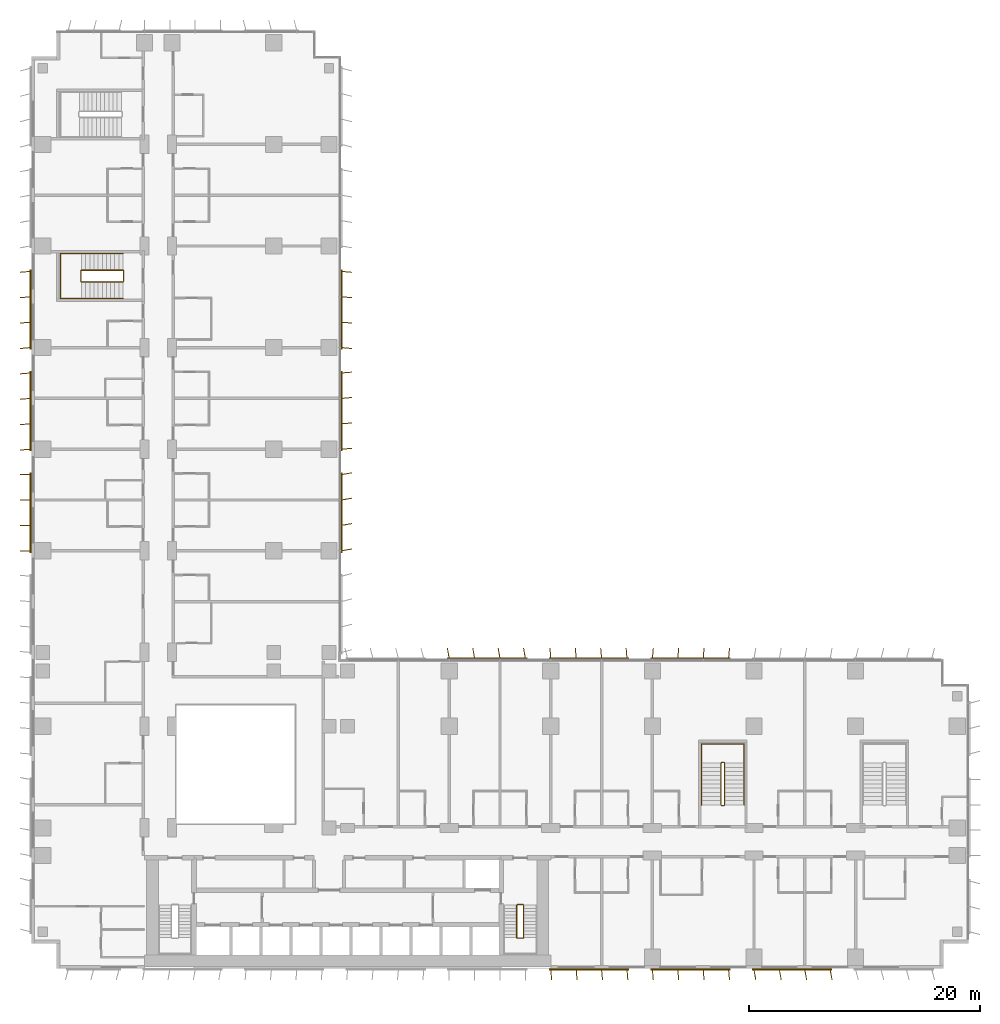
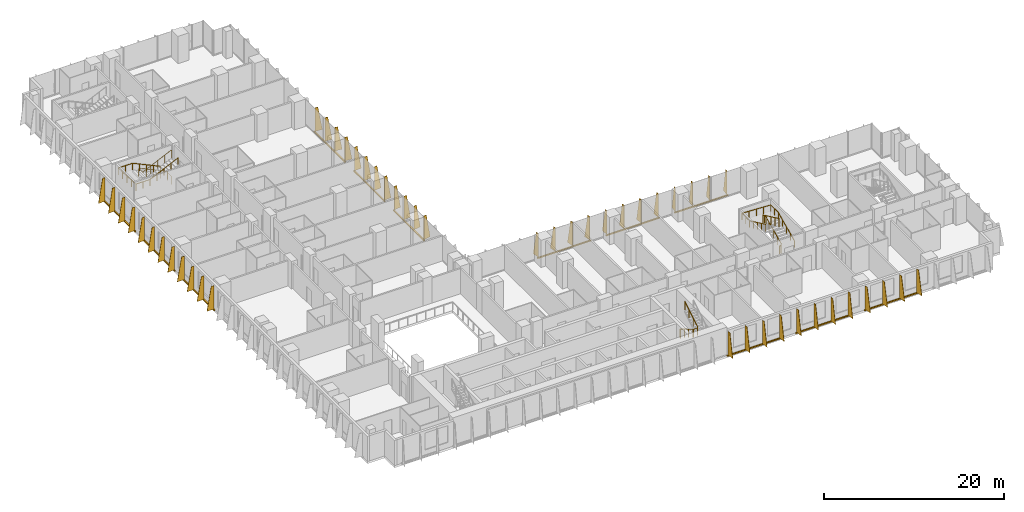
# One storey, part 22 of 24: 12 shading devices, 5 railings.
"""IFC4 building model written with IfcOpenShell, lengths in metres."""

import ifcopenshell
import ifcopenshell.guid

model = None  # the IFC model being written
_history = None  # IfcOwnerHistory: only IFC2X3 demands one
_inside = {}  # id of a spatial element -> (the spatial element, [elements in it])
_under = {}  # id of a project, library or spatial element -> (it, [spatial elements below it])
_declared = {}  # id of a project -> (the project, [libraries it declares])
_typed = {}  # id of a type object -> (the type object, [elements of that type])
_made_of = {}  # id of a material, layer set ... -> (it, [elements and type objects made of it])


def new_model(schema):
    """Start an empty IFC model of exactly this schema.

    Asked for "IFC4X3", IfcOpenShell would pick the latest addendum, in which some entities
    have other attributes; the version numbers below select the first issue.
    IFC2X3 requires an IfcOwnerHistory on every rooted entity: one is made here for all.
    """
    global model, _history
    if schema == "IFC4X3":
        model = ifcopenshell.file(schema_version=(4, 3, 0, 0))
    else:
        model = ifcopenshell.file(schema=schema)
    _inside.clear()
    _under.clear()
    _declared.clear()
    _typed.clear()
    _made_of.clear()
    _history = None
    if model.schema == "IFC2X3":
        org = make("IfcOrganization", Name="unknown")
        user = make(
            "IfcPersonAndOrganization",
            ThePerson=make("IfcPerson", FamilyName="unknown"),
            TheOrganization=org,
        )
        app = make(
            "IfcApplication",
            ApplicationDeveloper=org,
            Version="unknown",
            ApplicationFullName="unknown",
            ApplicationIdentifier="unknown",
        )
        _history = make(
            "IfcOwnerHistory",
            OwningUser=user,
            OwningApplication=app,
            ChangeAction="ADDED",
            CreationDate=0,
        )
    return model


def make(cls, **values):
    """One entity of the class cls with the attributes given. An attribute that is None is left unset."""
    return model.create_entity(
        cls, **{name: value for name, value in values.items() if value is not None}
    )


def rooted(cls, **values):
    """An entity with a GlobalId (a new one), such as an element, a storey or a relation."""
    return make(cls, GlobalId=ifcopenshell.guid.new(), OwnerHistory=_history, **values)


def si_unit(unit_type, name, prefix=None):
    """IfcSIUnit, for example si_unit("LENGTHUNIT", "METRE", prefix="MILLI")."""
    return make("IfcSIUnit", UnitType=unit_type, Prefix=prefix, Name=name)


def assignment(units):
    """IfcUnitAssignment: the units of a project."""
    return None if units is None else make("IfcUnitAssignment", Units=units)


def point(xyz):
    """IfcCartesianPoint."""
    return None if xyz is None else make("IfcCartesianPoint", Coordinates=xyz)


def direction(xyz):
    """IfcDirection."""
    return None if xyz is None else make("IfcDirection", DirectionRatios=xyz)


def frame(location, z_axis=None, x_axis=None):
    """IfcAxis2Placement3D, a coordinate frame: its origin and axes. An axis left out is left unset."""
    return make(
        "IfcAxis2Placement3D",
        Location=point(location),
        Axis=direction(z_axis),
        RefDirection=direction(x_axis),
    )


def frame_2d(location, x_axis=None):
    """IfcAxis2Placement2D, a coordinate frame in the plane: its origin and x axis."""
    return make(
        "IfcAxis2Placement2D", Location=point(location), RefDirection=direction(x_axis)
    )


def origin():
    """The frame at (0, 0, 0) with its axes left unset."""
    return frame((0.0, 0.0, 0.0))


def origin_2d():
    """The frame at (0, 0) in the plane with its x axis left unset."""
    return frame_2d((0.0, 0.0))


def place(relative_to, where):
    """IfcLocalPlacement: puts the frame where relative to a parent placement (None: the world)."""
    return make(
        "IfcLocalPlacement", PlacementRelTo=relative_to, RelativePlacement=where
    )


def context(
    kind, dimensions, precision=None, world=None, true_north=None, identifier=None
):
    """IfcGeometricRepresentationContext, for example the 3D "Model" context."""
    return make(
        "IfcGeometricRepresentationContext",
        ContextIdentifier=identifier,
        ContextType=kind,
        CoordinateSpaceDimension=dimensions,
        Precision=precision,
        WorldCoordinateSystem=world,
        TrueNorth=true_north,
    )


def subcontext(parent, identifier, kind, view, scale=None):
    """IfcGeometricRepresentationSubContext, for example "Body" below "Model"."""
    return make(
        "IfcGeometricRepresentationSubContext",
        ContextIdentifier=identifier,
        ContextType=kind,
        ParentContext=parent,
        TargetScale=scale,
        TargetView=view,
    )


def project(units=None, contexts=None):
    """IfcProject with its units and contexts."""
    return rooted(
        "IfcProject",
        Name="project",
        RepresentationContexts=contexts,
        UnitsInContext=assignment(units),
    )


def spatial(cls, under=None, at=None, **own):
    """A site, building, storey or space (cls), placed at a placement, below another one or the project."""
    s = rooted(cls, ObjectPlacement=at, **own)
    if under is not None:
        _under.setdefault(under.id(), (under, []))[1].append(s)
    return s


def polyline(points):
    """IfcPolyline through the points."""
    return make("IfcPolyline", Points=[point(p) for p in points])


def profile(cls, at=None, kind="AREA", **sizes):
    """A parametric profile (cls). Its sizes go by their IFC names, for example OverallWidth=200.0."""
    return make(cls, ProfileType=kind, Position=at, **sizes)


def rectangle(**sizes):
    """IfcRectangleProfileDef."""
    return profile("IfcRectangleProfileDef", **sizes)


def circle(**sizes):
    """IfcCircleProfileDef."""
    return profile("IfcCircleProfileDef", **sizes)


def outline(outer, holes=None, kind="AREA"):
    """IfcArbitraryClosedProfileDef: a profile drawn as a closed curve; with holes, ...WithVoids."""
    if holes is None:
        return make("IfcArbitraryClosedProfileDef", ProfileType=kind, OuterCurve=outer)
    return make(
        "IfcArbitraryProfileDefWithVoids",
        ProfileType=kind,
        OuterCurve=outer,
        InnerCurves=holes,
    )


def extrude(swept, where, along, depth):
    """IfcExtrudedAreaSolid: the profile swept, set in the frame where, extruded along a direction by depth."""
    return make(
        "IfcExtrudedAreaSolid",
        SweptArea=swept,
        Position=where,
        ExtrudedDirection=direction(along),
        Depth=depth,
    )


def shape(context_of_items, identifier, shape_type, items):
    """IfcShapeRepresentation: the items that make up one representation, for example the "Body"."""
    return make(
        "IfcShapeRepresentation",
        ContextOfItems=context_of_items,
        RepresentationIdentifier=identifier,
        RepresentationType=shape_type,
        Items=items,
    )


def source(mapping_origin, context_of_items, identifier, shape_type, items):
    """IfcRepresentationMap: a shape defined once, which mapped items show again and again."""
    return make(
        "IfcRepresentationMap",
        MappingOrigin=mapping_origin,
        MappedRepresentation=shape(context_of_items, identifier, shape_type, items),
    )


def transform(
    local_origin,
    x_axis=None,
    y_axis=None,
    z_axis=None,
    scale=None,
    scale2=None,
    scale3=None,
    uniform=True,
):
    """IfcCartesianTransformationOperator3D, or its non-uniform kind. x_axis, y_axis, z_axis: its Axis1, 2, 3."""
    if uniform:
        return make(
            "IfcCartesianTransformationOperator3D",
            Axis1=direction(x_axis),
            Axis2=direction(y_axis),
            LocalOrigin=point(local_origin),
            Scale=scale,
            Axis3=direction(z_axis),
        )
    return make(
        "IfcCartesianTransformationOperator3DnonUniform",
        Axis1=direction(x_axis),
        Axis2=direction(y_axis),
        LocalOrigin=point(local_origin),
        Scale=scale,
        Axis3=direction(z_axis),
        Scale2=scale2,
        Scale3=scale3,
    )


def mapped(mapping_source, mapping_target):
    """IfcMappedItem: shows the shape of a source again, moved by a transform."""
    return make(
        "IfcMappedItem", MappingSource=mapping_source, MappingTarget=mapping_target
    )


def material(Name=None, Category=None):
    """IfcMaterial."""
    return make("IfcMaterial", Name=Name, Category=Category)


def layer(
    of_material, thickness, ventilated=None, Name=None, Category=None, Priority=None
):
    """IfcMaterialLayer: one layer of a wall or slab, of a material (None: an air gap)."""
    return make(
        "IfcMaterialLayer",
        Material=of_material,
        LayerThickness=thickness,
        IsVentilated=ventilated,
        Name=Name,
        Category=Category,
        Priority=Priority,
    )


def layer_set(layers, Name=None):
    """IfcMaterialLayerSet."""
    return make("IfcMaterialLayerSet", MaterialLayers=layers, LayerSetName=Name)


def made_of(thing, what):
    """Note that an element or type object is made of a material, layer set ...; save() writes the relation."""
    if what is not None:
        _made_of.setdefault(what.id(), (what, []))[1].append(thing)
    return thing


def type_object(cls, material=None, **own):
    """A type object (cls), such as IfcWallType, which elements share."""
    return made_of(rooted(cls, **own), material)


def element(
    cls,
    number,
    at=None,
    inside=None,
    cuts=None,
    type_object=None,
    material=None,
    context=None,
    identifier="Body",
    shape_type=None,
    held_by="IfcProductDefinitionShape",
    body=None,
    shapes=None,
    **own,
):
    """One element of the class cls, such as IfcWall. Its Tag is "e" and its number.

    at: its placement. inside: the storey or other place that contains it. cuts: it is an
    opening in that element (IfcRelVoidsElement). A single representation is given by context,
    identifier, shape_type and body (its items); several are given by shapes. held_by: the class
    of the entity that holds the representations. save() writes the other relations.
    """
    e = rooted(cls, Tag="e%d" % number, ObjectPlacement=at, **own)
    if body is not None:
        shapes = [shape(context, identifier, shape_type, body)]
    if shapes is not None:
        e.Representation = make(held_by, Representations=shapes)
    if inside is not None:
        _inside.setdefault(inside.id(), (inside, []))[1].append(e)
    if cuts is not None:
        rooted(
            "IfcRelVoidsElement", RelatingBuildingElement=cuts, RelatedOpeningElement=e
        )
    if type_object is not None:
        _typed.setdefault(type_object.id(), (type_object, []))[1].append(e)
    return made_of(e, material)


def aggregate(whole, parts):
    """IfcRelAggregates: a whole, such as a stair, and the parts it consists of."""
    return rooted("IfcRelAggregates", RelatingObject=whole, RelatedObjects=parts)


def save(model, path):
    """Write the relations noted so far, then the file.

    IfcRelAggregates (storeys below a building ...), IfcRelContainedInSpatialStructure (elements
    in a storey), IfcRelDefinesByType, IfcRelAssociatesMaterial and IfcRelDeclares: one each for
    every whole, place, type object, material and project.
    """
    for whole, parts in _under.values():
        aggregate(whole, parts)
    for where, things in _inside.values():
        rooted(
            "IfcRelContainedInSpatialStructure",
            RelatedElements=things,
            RelatingStructure=where,
        )
    for kind, things in _typed.values():
        rooted("IfcRelDefinesByType", RelatedObjects=things, RelatingType=kind)
    for what, things in _made_of.values():
        rooted("IfcRelAssociatesMaterial", RelatedObjects=things, RelatingMaterial=what)
    for by, libraries in _declared.values():
        rooted("IfcRelDeclares", RelatingContext=by, RelatedDefinitions=libraries)
    model.write(path)


model = new_model("IFC4")

# Units and contexts
model_context = context("Model", 3, precision=1e-05, world=origin(), true_north=direction((0.0, 1.0)))
body_context = subcontext(model_context, "Body", "Model", "MODEL_VIEW")
ifc_project = project(units=[si_unit("LENGTHUNIT", "METRE"), si_unit("AREAUNIT", "SQUARE_METRE"), si_unit("VOLUMEUNIT", "CUBIC_METRE"), si_unit("PLANEANGLEUNIT", "RADIAN"), si_unit("MASSUNIT", "GRAM", prefix="KILO")], contexts=[model_context])

# Site, building, storey
site_placement = place(None, origin())
site = spatial("IfcSite", under=ifc_project, at=site_placement, CompositionType="ELEMENT")
building_placement = place(site_placement, origin())
building = spatial("IfcBuilding", under=site, at=building_placement, Name="Kemantara Hotel Tower", CompositionType="ELEMENT")
storey_placement = place(building_placement, frame((0.0, 0.0, 37.699951171875)))
storey = spatial("IfcBuildingStorey", under=building, at=storey_placement, Name="L07", CompositionType="ELEMENT", Elevation=37.699951171875)

# Railings
ifc_material_1 = material(Name="Stainless steel balustrade", Category="steel")
railing_type_1 = type_object("IfcRailingType", Name="Stair guard 1100 mm", PredefinedType="GUARDRAIL", material=ifc_material_1)
railing_1_placement = place(storey_placement, frame((42.64990234375, 5.5, 3.699951171875)))
element("IfcRailing", 1, at=railing_1_placement, inside=storey, type_object=railing_type_1, Name="L07 ST2 stair guard 1", PredefinedType="GUARDRAIL", context=body_context, shape_type="SweptSolid", body=[
    extrude(circle(Radius=0.02392578125, at=origin_2d()), frame((0.0, 0.0, 1.076171875), z_axis=(0.0, -0.857275202839, -0.514858452973), x_axis=(1.0, 0.0, 0.0)), (0.0, 0.0, 1.0), 3.26611328125),
    extrude(circle(Radius=0.02392578125, at=origin_2d()), frame((0.0, -2.800048828125, -0.60546875), z_axis=(-0.273006030465, -0.27434429532, -0.922064485248), x_axis=(0.708833529934, -0.705375805398, 0.0)), (0.0, 0.0, 1.0), 0.182373046875),
    extrude(circle(Radius=0.02392578125, at=origin_2d()), frame((-0.0498046875, -2.85009765625, -0.77392578125), z_axis=(-1.0, 0.0, 0.0), x_axis=(0.0, -1.0, 0.0)), (0.0, 0.0, 1.0), 0.5),
    extrude(circle(Radius=0.02392578125, at=origin_2d()), frame((-0.5498046875, -2.85009765625, -0.77392578125), z_axis=(-0.707106781187, 0.707106781187, 0.0), x_axis=(-0.707106781187, -0.707106781187, 0.0)), (0.0, 0.0, 1.0), 0.07080078125),
    extrude(circle(Radius=0.02392578125, at=origin_2d()), frame((-0.599853515625, -2.800048828125, -0.77392578125), z_axis=(0.0, 0.857242210791, -0.514913383045), x_axis=(-1.0, 0.0, 0.0)), (0.0, 0.0, 1.0), 3.266357421875),
    extrude(circle(Radius=0.02392578125, at=origin_2d()), frame((-0.599853515625, 0.0, -2.45556640625), z_axis=(0.274243871929, 0.274243871929, -0.92172696468), x_axis=(-0.707106781187, 0.707106781187, 0.0)), (0.0, 0.0, 1.0), 0.1826171875),
    extrude(circle(Radius=0.02392578125, at=origin_2d()), frame((-0.5498046875, 0.050048828125, -2.6240234375), z_axis=(1.0, 0.0, 0.0), x_axis=(0.0, 1.0, 0.0)), (0.0, 0.0, 1.0), 0.5),
    extrude(circle(Radius=0.02099609375, at=origin_2d()), origin(), (0.0, 0.0, 1.0), 1.052001953125),
    extrude(circle(Radius=0.02099609375, at=origin_2d()), frame((0.0, -0.933349609375, -0.560546875)), (0.0, 0.0, 1.0), 1.052001953125),
    extrude(circle(Radius=0.02099609375, at=origin_2d()), frame((0.0, -1.86669921875, -1.12109375)), (0.0, 0.0, 1.0), 1.052001953125),
    extrude(circle(Radius=0.02099609375, at=origin_2d()), frame((0.0, -2.800048828125, -1.681640625)), (0.0, 0.0, 1.0), 1.052001953125),
    extrude(circle(Radius=0.02099609375, at=origin_2d()), frame((-0.0498046875, -2.85009765625, -1.849853515625)), (0.0, 0.0, 1.0), 1.052001953125),
    extrude(circle(Radius=0.02099609375, at=origin_2d()), frame((-0.5498046875, -2.85009765625, -1.849853515625)), (0.0, 0.0, 1.0), 1.052001953125),
    extrude(circle(Radius=0.02099609375, at=origin_2d()), frame((-0.599853515625, -2.800048828125, -1.849853515625)), (0.0, 0.0, 1.0), 1.052001953125),
    extrude(circle(Radius=0.02099609375, at=origin_2d()), frame((-0.599853515625, -1.86669921875, -2.410400390625)), (0.0, 0.0, 1.0), 1.052001953125),
    extrude(circle(Radius=0.02099609375, at=origin_2d()), frame((-0.599853515625, -0.933349609375, -2.97119140625)), (0.0, 0.0, 1.0), 1.052001953125),
    extrude(circle(Radius=0.02099609375, at=origin_2d()), frame((-0.599853515625, 0.0, -3.53173828125)), (0.0, 0.0, 1.0), 1.052001953125),
    extrude(circle(Radius=0.02099609375, at=origin_2d()), frame((-0.5498046875, 0.050048828125, -3.699951171875)), (0.0, 0.0, 1.0), 1.052001953125),
    extrude(circle(Radius=0.02099609375, at=origin_2d()), frame((-0.0498046875, 0.050048828125, -3.699951171875)), (0.0, 0.0, 1.0), 1.052001953125),
])
railing_2_placement = place(storey_placement, frame((59.75, 14.199951171875, 3.699951171875)))
element("IfcRailing", 2, at=railing_2_placement, inside=storey, type_object=railing_type_1, Name="L07 ST3 stair guard 1", PredefinedType="GUARDRAIL", context=body_context, shape_type="SweptSolid", body=[
    extrude(circle(Radius=0.02392578125, at=origin_2d()), frame((0.0, 0.0, 1.076171875), z_axis=(0.0, 0.906029249863, -0.423215073447), x_axis=(-1.0, 0.0, 0.0)), (0.0, 0.0, 1.0), 3.973388671875),
    extrude(circle(Radius=0.02392578125, at=origin_2d()), frame((0.0, 3.60009765625, -0.60546875), z_axis=(0.274243871929, 0.274243871929, -0.92172696468), x_axis=(-0.707106781187, 0.707106781187, 0.0)), (0.0, 0.0, 1.0), 0.1826171875),
    extrude(circle(Radius=0.02392578125, at=origin_2d()), frame((0.050048828125, 3.650146484375, -0.77392578125), z_axis=(1.0, 0.0, 0.0), x_axis=(0.0, 1.0, 0.0)), (0.0, 0.0, 1.0), 0.199951171875),
    extrude(circle(Radius=0.02392578125, at=origin_2d()), frame((0.25, 3.650146484375, -0.77392578125), z_axis=(0.707106781187, -0.707106781187, 0.0), x_axis=(0.707106781187, 0.707106781187, 0.0)), (0.0, 0.0, 1.0), 0.07080078125),
    extrude(circle(Radius=0.02392578125, at=origin_2d()), frame((0.300048828125, 3.60009765625, -0.77392578125), z_axis=(0.0, -0.906005689286, -0.423265508849), x_axis=(1.0, 0.0, 0.0)), (0.0, 0.0, 1.0), 3.9736328125),
    extrude(circle(Radius=0.02392578125, at=origin_2d()), frame((0.300048828125, 0.0, -2.45556640625), z_axis=(-0.274243871929, -0.274243871929, -0.92172696468), x_axis=(0.707106781187, -0.707106781187, 0.0)), (0.0, 0.0, 1.0), 0.1826171875),
    extrude(circle(Radius=0.02392578125, at=origin_2d()), frame((0.25, -0.050048828125, -2.6240234375), z_axis=(-1.0, 0.0, 0.0), x_axis=(0.0, -1.0, 0.0)), (0.0, 0.0, 1.0), 0.199951171875),
    extrude(circle(Radius=0.02099609375, at=origin_2d()), origin(), (0.0, 0.0, 1.0), 1.052001953125),
    extrude(circle(Radius=0.02099609375, at=origin_2d()), frame((0.0, 0.89990234375, -0.42041015625)), (0.0, 0.0, 1.0), 1.052001953125),
    extrude(circle(Radius=0.02099609375, at=origin_2d()), frame((0.0, 1.800048828125, -0.8408203125)), (0.0, 0.0, 1.0), 1.052001953125),
    extrude(circle(Radius=0.02099609375, at=origin_2d()), frame((0.0, 2.7001953125, -1.26123046875)), (0.0, 0.0, 1.0), 1.052001953125),
    extrude(circle(Radius=0.02099609375, at=origin_2d()), frame((0.0, 3.60009765625, -1.681640625)), (0.0, 0.0, 1.0), 1.052001953125),
    extrude(circle(Radius=0.02099609375, at=origin_2d()), frame((0.050048828125, 3.650146484375, -1.849853515625)), (0.0, 0.0, 1.0), 1.052001953125),
    extrude(circle(Radius=0.02099609375, at=origin_2d()), frame((0.25, 3.650146484375, -1.849853515625)), (0.0, 0.0, 1.0), 1.052001953125),
    extrude(circle(Radius=0.02099609375, at=origin_2d()), frame((0.300048828125, 3.60009765625, -1.849853515625)), (0.0, 0.0, 1.0), 1.052001953125),
    extrude(circle(Radius=0.02099609375, at=origin_2d()), frame((0.300048828125, 2.7001953125, -2.270263671875)), (0.0, 0.0, 1.0), 1.052001953125),
    extrude(circle(Radius=0.02099609375, at=origin_2d()), frame((0.300048828125, 1.800048828125, -2.69091796875)), (0.0, 0.0, 1.0), 1.052001953125),
    extrude(circle(Radius=0.02099609375, at=origin_2d()), frame((0.300048828125, 0.89990234375, -3.111328125)), (0.0, 0.0, 1.0), 1.052001953125),
    extrude(circle(Radius=0.02099609375, at=origin_2d()), frame((0.300048828125, 0.0, -3.53173828125)), (0.0, 0.0, 1.0), 1.052001953125),
    extrude(circle(Radius=0.02099609375, at=origin_2d()), frame((0.25, -0.050048828125, -3.699951171875)), (0.0, 0.0, 1.0), 1.052001953125),
    extrude(circle(Radius=0.02099609375, at=origin_2d()), frame((0.050048828125, -0.050048828125, -3.699951171875)), (0.0, 0.0, 1.0), 1.052001953125),
])
railing_3_placement = place(storey_placement, frame((7.949951171875, 59.5, 3.699951171875)))
element("IfcRailing", 3, at=railing_3_placement, inside=storey, type_object=railing_type_1, Name="L07 ST4 stair guard 1", PredefinedType="GUARDRAIL", context=body_context, shape_type="SweptSolid", body=[
    extrude(circle(Radius=0.02392578125, at=origin_2d()), frame((0.0, 0.0, 1.076171875), z_axis=(-0.906018243939, 0.0, -0.423238634402), x_axis=(0.0, -1.0, 0.0)), (0.0, 0.0, 1.0), 3.973388671875),
    extrude(circle(Radius=0.02392578125, at=origin_2d()), frame((-3.599853515625, 0.0, -0.60546875), z_axis=(-0.274243871929, 0.274243871929, -0.92172696468), x_axis=(-0.707106781187, -0.707106781187, 0.0)), (0.0, 0.0, 1.0), 0.1826171875),
    extrude(circle(Radius=0.02392578125, at=origin_2d()), frame((-3.64990234375, 0.050048828125, -0.77392578125), z_axis=(0.0, 1.0, 0.0), x_axis=(-1.0, 0.0, 0.0)), (0.0, 0.0, 1.0), 0.89990234375),
    extrude(circle(Radius=0.02392578125, at=origin_2d()), frame((-3.64990234375, 0.949951171875, -0.77392578125), z_axis=(0.707106781187, 0.707106781187, 0.0), x_axis=(-0.707106781187, 0.707106781187, 0.0)), (0.0, 0.0, 1.0), 0.07080078125),
    extrude(circle(Radius=0.02392578125, at=origin_2d()), frame((-3.599853515625, 1.0, -0.77392578125), z_axis=(0.905994681025, 0.0, -0.423289071386), x_axis=(0.0, 1.0, 0.0)), (0.0, 0.0, 1.0), 3.973388671875),
    extrude(circle(Radius=0.02392578125, at=origin_2d()), frame((0.0, 1.0, -2.45556640625), z_axis=(0.274243871929, -0.274243871929, -0.92172696468), x_axis=(0.707106781187, 0.707106781187, 0.0)), (0.0, 0.0, 1.0), 0.1826171875),
    extrude(circle(Radius=0.02392578125, at=origin_2d()), frame((0.050048828125, 0.949951171875, -2.6240234375), z_axis=(0.0, -1.0, 0.0), x_axis=(1.0, 0.0, 0.0)), (0.0, 0.0, 1.0), 0.89990234375),
    extrude(circle(Radius=0.02099609375, at=origin_2d()), origin(), (0.0, 0.0, 1.0), 1.052001953125),
    extrude(circle(Radius=0.02099609375, at=origin_2d()), frame((-0.89990234375, 0.0, -0.42041015625)), (0.0, 0.0, 1.0), 1.052001953125),
    extrude(circle(Radius=0.02099609375, at=origin_2d()), frame((-1.7998046875, 0.0, -0.8408203125)), (0.0, 0.0, 1.0), 1.052001953125),
    extrude(circle(Radius=0.02099609375, at=origin_2d()), frame((-2.699951171875, 0.0, -1.26123046875)), (0.0, 0.0, 1.0), 1.052001953125),
    extrude(circle(Radius=0.02099609375, at=origin_2d()), frame((-3.599853515625, 0.0, -1.681640625)), (0.0, 0.0, 1.0), 1.052001953125),
    extrude(circle(Radius=0.02099609375, at=origin_2d()), frame((-3.64990234375, 0.050048828125, -1.849853515625)), (0.0, 0.0, 1.0), 1.052001953125),
    extrude(circle(Radius=0.02099609375, at=origin_2d()), frame((-3.64990234375, 0.949951171875, -1.849853515625)), (0.0, 0.0, 1.0), 1.052001953125),
    extrude(circle(Radius=0.02099609375, at=origin_2d()), frame((-3.599853515625, 1.0, -1.849853515625)), (0.0, 0.0, 1.0), 1.052001953125),
    extrude(circle(Radius=0.02099609375, at=origin_2d()), frame((-2.699951171875, 1.0, -2.270263671875)), (0.0, 0.0, 1.0), 1.052001953125),
    extrude(circle(Radius=0.02099609375, at=origin_2d()), frame((-1.7998046875, 1.0, -2.69091796875)), (0.0, 0.0, 1.0), 1.052001953125),
    extrude(circle(Radius=0.02099609375, at=origin_2d()), frame((-0.89990234375, 1.0, -3.111328125)), (0.0, 0.0, 1.0), 1.052001953125),
    extrude(circle(Radius=0.02099609375, at=origin_2d()), frame((0.0, 1.0, -3.53173828125)), (0.0, 0.0, 1.0), 1.052001953125),
    extrude(circle(Radius=0.02099609375, at=origin_2d()), frame((0.050048828125, 0.949951171875, -3.699951171875)), (0.0, 0.0, 1.0), 1.052001953125),
    extrude(circle(Radius=0.02099609375, at=origin_2d()), frame((0.050048828125, 0.050048828125, -3.699951171875)), (0.0, 0.0, 1.0), 1.052001953125),
])
railing_type_2 = type_object("IfcRailingType", Name="Stair handrail 900 mm", PredefinedType="HANDRAIL", material=ifc_material_1)
railing_4_placement = place(storey_placement, frame((61.75, 14.199951171875, 0.168212890625)))
element("IfcRailing", 4, at=railing_4_placement, inside=storey, type_object=railing_type_2, Name="L07 ST3 stair handrail 1", PredefinedType="HANDRAIL", context=body_context, shape_type="SweptSolid", body=[
    extrude(circle(Radius=0.02392578125, at=origin_2d()), frame((0.0, 0.0, 0.8759765625), z_axis=(0.0, 0.906005689286, 0.423265508849), x_axis=(-1.0, 0.0, 0.0)), (0.0, 0.0, 1.0), 3.9736328125),
    extrude(circle(Radius=0.02392578125, at=origin_2d()), frame((0.0, 3.60009765625, 2.5576171875), z_axis=(0.0, 1.0, 0.0), x_axis=(-1.0, 0.0, 0.0)), (0.0, 0.0, 1.0), 1.679931640625),
    extrude(circle(Radius=0.02392578125, at=origin_2d()), frame((0.0, 5.280029296875, 2.5576171875), z_axis=(-0.998968132438, 0.0, 0.045416631029), x_axis=(0.0, -1.0, 0.0)), (0.0, 0.0, 1.0), 3.703857421875),
    extrude(circle(Radius=0.02392578125, at=origin_2d()), frame((-3.699951171875, 5.280029296875, 2.72607421875), z_axis=(0.0, -1.0, 0.0), x_axis=(1.0, 0.0, 0.0)), (0.0, 0.0, 1.0), 1.679931640625),
    extrude(circle(Radius=0.02392578125, at=origin_2d()), frame((-3.699951171875, 3.60009765625, 2.72607421875), z_axis=(0.0, -0.906029249863, 0.423215073447), x_axis=(1.0, 0.0, 0.0)), (0.0, 0.0, 1.0), 3.973388671875),
    extrude(circle(Radius=0.02099609375, at=origin_2d()), origin(), (0.0, 0.0, 1.0), 0.851806640625),
    extrude(circle(Radius=0.02099609375, at=origin_2d()), frame((0.0, 0.89990234375, 0.42041015625)), (0.0, 0.0, 1.0), 0.851806640625),
    extrude(circle(Radius=0.02099609375, at=origin_2d()), frame((0.0, 1.800048828125, 0.8408203125)), (0.0, 0.0, 1.0), 0.851806640625),
    extrude(circle(Radius=0.02099609375, at=origin_2d()), frame((0.0, 2.7001953125, 1.261474609375)), (0.0, 0.0, 1.0), 0.851806640625),
    extrude(circle(Radius=0.02099609375, at=origin_2d()), frame((0.0, 3.60009765625, 1.681884765625)), (0.0, 0.0, 1.0), 0.851806640625),
    extrude(circle(Radius=0.02099609375, at=origin_2d()), frame((0.0, 4.43994140625, 1.681884765625)), (0.0, 0.0, 1.0), 0.851806640625),
    extrude(circle(Radius=0.02099609375, at=origin_2d()), frame((0.0, 5.280029296875, 1.681884765625)), (0.0, 0.0, 1.0), 0.851806640625),
    extrude(circle(Radius=0.02099609375, at=origin_2d()), frame((-0.925048828125, 5.280029296875, 1.723876953125)), (0.0, 0.0, 1.0), 0.851806640625),
    extrude(circle(Radius=0.02099609375, at=origin_2d()), frame((-1.85009765625, 5.280029296875, 1.76611328125)), (0.0, 0.0, 1.0), 0.851806640625),
    extrude(circle(Radius=0.02099609375, at=origin_2d()), frame((-2.77490234375, 5.280029296875, 1.80810546875)), (0.0, 0.0, 1.0), 0.851806640625),
    extrude(circle(Radius=0.02099609375, at=origin_2d()), frame((-3.699951171875, 5.280029296875, 1.85009765625)), (0.0, 0.0, 1.0), 0.851806640625),
    extrude(circle(Radius=0.02099609375, at=origin_2d()), frame((-3.699951171875, 4.43994140625, 1.85009765625)), (0.0, 0.0, 1.0), 0.851806640625),
    extrude(circle(Radius=0.02099609375, at=origin_2d()), frame((-3.699951171875, 3.60009765625, 1.85009765625)), (0.0, 0.0, 1.0), 0.851806640625),
    extrude(circle(Radius=0.02099609375, at=origin_2d()), frame((-3.699951171875, 2.7001953125, 2.2705078125)), (0.0, 0.0, 1.0), 0.851806640625),
    extrude(circle(Radius=0.02099609375, at=origin_2d()), frame((-3.699951171875, 1.800048828125, 2.69091796875)), (0.0, 0.0, 1.0), 0.851806640625),
    extrude(circle(Radius=0.02099609375, at=origin_2d()), frame((-3.699951171875, 0.89990234375, 3.111328125)), (0.0, 0.0, 1.0), 0.851806640625),
    extrude(circle(Radius=0.02099609375, at=origin_2d()), frame((-3.699951171875, 0.0, 3.53173828125)), (0.0, 0.0, 1.0), 0.851806640625),
])
railing_5_placement = place(storey_placement, frame((7.949951171875, 61.949951171875, 0.168212890625)))
element("IfcRailing", 5, at=railing_5_placement, inside=storey, type_object=railing_type_2, Name="L07 ST4 stair handrail 1", PredefinedType="HANDRAIL", context=body_context, shape_type="SweptSolid", body=[
    extrude(circle(Radius=0.02392578125, at=origin_2d()), frame((0.0, 0.0, 0.8759765625), z_axis=(-0.905994681025, 0.0, 0.423289071386), x_axis=(0.0, -1.0, 0.0)), (0.0, 0.0, 1.0), 3.973388671875),
    extrude(circle(Radius=0.02392578125, at=origin_2d()), frame((-3.599853515625, 0.0, 2.5576171875), z_axis=(-1.0, 0.0, 0.0), x_axis=(0.0, -1.0, 0.0)), (0.0, 0.0, 1.0), 1.830078125),
    extrude(circle(Radius=0.02392578125, at=origin_2d()), frame((-5.429931640625, 0.0, 2.5576171875), z_axis=(0.0, -0.999071085748, 0.043092523981), x_axis=(1.0, 0.0, 0.0)), (0.0, 0.0, 1.0), 3.903564453125),
    extrude(circle(Radius=0.02392578125, at=origin_2d()), frame((-5.429931640625, -3.89990234375, 2.72607421875), z_axis=(1.0, 0.0, 0.0), x_axis=(0.0, 1.0, 0.0)), (0.0, 0.0, 1.0), 1.830078125),
    extrude(circle(Radius=0.02392578125, at=origin_2d()), frame((-3.599853515625, -3.89990234375, 2.72607421875), z_axis=(0.906018243939, 0.0, 0.423238634402), x_axis=(0.0, 1.0, 0.0)), (0.0, 0.0, 1.0), 3.973388671875),
    extrude(circle(Radius=0.02099609375, at=origin_2d()), origin(), (0.0, 0.0, 1.0), 0.851806640625),
    extrude(circle(Radius=0.02099609375, at=origin_2d()), frame((-0.89990234375, 0.0, 0.42041015625)), (0.0, 0.0, 1.0), 0.851806640625),
    extrude(circle(Radius=0.02099609375, at=origin_2d()), frame((-1.7998046875, 0.0, 0.8408203125)), (0.0, 0.0, 1.0), 0.851806640625),
    extrude(circle(Radius=0.02099609375, at=origin_2d()), frame((-2.699951171875, 0.0, 1.261474609375)), (0.0, 0.0, 1.0), 0.851806640625),
    extrude(circle(Radius=0.02099609375, at=origin_2d()), frame((-3.599853515625, 0.0, 1.681884765625)), (0.0, 0.0, 1.0), 0.851806640625),
    extrude(circle(Radius=0.02099609375, at=origin_2d()), frame((-4.514892578125, 0.0, 1.681884765625)), (0.0, 0.0, 1.0), 0.851806640625),
    extrude(circle(Radius=0.02099609375, at=origin_2d()), frame((-5.429931640625, 0.0, 1.681884765625)), (0.0, 0.0, 1.0), 0.851806640625),
    extrude(circle(Radius=0.02099609375, at=origin_2d()), frame((-5.429931640625, -0.97509765625, 1.723876953125)), (0.0, 0.0, 1.0), 0.851806640625),
    extrude(circle(Radius=0.02099609375, at=origin_2d()), frame((-5.429931640625, -1.949951171875, 1.76611328125)), (0.0, 0.0, 1.0), 0.851806640625),
    extrude(circle(Radius=0.02099609375, at=origin_2d()), frame((-5.429931640625, -2.9248046875, 1.80810546875)), (0.0, 0.0, 1.0), 0.851806640625),
    extrude(circle(Radius=0.02099609375, at=origin_2d()), frame((-5.429931640625, -3.89990234375, 1.85009765625)), (0.0, 0.0, 1.0), 0.851806640625),
    extrude(circle(Radius=0.02099609375, at=origin_2d()), frame((-4.514892578125, -3.89990234375, 1.85009765625)), (0.0, 0.0, 1.0), 0.851806640625),
    extrude(circle(Radius=0.02099609375, at=origin_2d()), frame((-3.599853515625, -3.89990234375, 1.85009765625)), (0.0, 0.0, 1.0), 0.851806640625),
    extrude(circle(Radius=0.02099609375, at=origin_2d()), frame((-2.699951171875, -3.89990234375, 2.2705078125)), (0.0, 0.0, 1.0), 0.851806640625),
    extrude(circle(Radius=0.02099609375, at=origin_2d()), frame((-1.7998046875, -3.89990234375, 2.69091796875)), (0.0, 0.0, 1.0), 0.851806640625),
    extrude(circle(Radius=0.02099609375, at=origin_2d()), frame((-0.89990234375, -3.89990234375, 3.111328125)), (0.0, 0.0, 1.0), 0.851806640625),
    extrude(circle(Radius=0.02099609375, at=origin_2d()), frame((0.0, -3.89990234375, 3.53173828125)), (0.0, 0.0, 1.0), 0.851806640625),
])

# Shading devices
ifc_material_2 = material(Name="Perforated aluminium plate 4 mm bronze anodised", Category="aluminium")
ifc_layer_1 = layer(ifc_material_2, 0.0400390625)
ifc_layer_set_1 = layer_set([ifc_layer_1], Name="Perforated aluminium plate 4 mm bronze anodised")
shading_device_type_1 = type_object("IfcShadingDeviceType", Name="SCREEN FIN CASSETTE, 4 BLADES AT -5.0 DEG, 3200 HIGH", PredefinedType="USERDEFINED", material=ifc_layer_set_1)
shared_shape_1 = source(origin(), body_context, "Body", "SweptSolid", [
    extrude(rectangle(XDim=6.89990234375, YDim=0.14990234375, at=origin_2d()), frame((3.300048828125, -0.074951171875, -0.14990234375), z_axis=(0.0, 0.0, 1.0), x_axis=(1.0, 0.0, 0.0)), (0.0, 0.0, 1.0), 0.14990234375),
    extrude(outline(polyline([(0.0, 0.0), (0.89990234375, 0.0), (0.35009765625, 3.199951171875), (0.0, 3.199951171875), (0.0, 0.0)])), frame((0.02001953125, -0.07666015625, 0.0), z_axis=(-0.996376129781, 0.085056498884, 0.0), x_axis=(-0.085056498884, -0.996376129781, 0.0)), (0.0, 0.0, 1.0), 0.040283203125),
    extrude(outline(polyline([(0.0, 0.0), (0.89990234375, 0.0), (0.35009765625, 3.199951171875), (0.0, 3.199951171875), (0.0, 0.0)])), frame((2.219970703125, -0.07666015625, 0.0), z_axis=(-0.996331773833, 0.085574508182, 0.0), x_axis=(-0.085574508182, -0.996331773833, 0.0)), (0.0, 0.0, 1.0), 0.0400390625),
    extrude(outline(polyline([(0.0, 0.0), (0.89990234375, 0.0), (0.35009765625, 3.199951171875), (0.0, 3.199951171875), (0.0, 0.0)])), frame((4.419921875, -0.07666015625, 0.0), z_axis=(-0.996331773833, 0.085574508182, 0.0), x_axis=(-0.085574508182, -0.996331773833, 0.0)), (0.0, 0.0, 1.0), 0.0400390625),
    extrude(outline(polyline([(0.0, 0.0), (0.89990234375, 0.0), (0.35009765625, 3.199951171875), (0.0, 3.199951171875), (0.0, 0.0)])), frame((6.619873046875, -0.07666015625, 0.0), z_axis=(-0.996331773833, 0.085574508182, 0.0), x_axis=(-0.085574508182, -0.996331773833, 0.0)), (0.0, 0.0, 1.0), 0.0400390625),
])
for number, where, z_axis, x_axis, name in (
    (6, (60.39990234375, 26.800048828125, 0.10009765625), (0.0, 0.0, 1.0), (-1.0, 0.0, 0.0), "SCREEN FIN CASSETTE L07 T1-R07-3"),
    (7, (26.800048828125, 53.800048828125, 0.10009765625), (0.0, 0.0, 1.0), (0.0, 1.0, 0.0), "SCREEN FIN CASSETTE L07 T1-R08-4"),
):
    element("IfcShadingDevice", number, at=place(storey_placement, frame(where, z_axis=z_axis, x_axis=x_axis)), inside=storey, type_object=shading_device_type_1, Name=name, ObjectType="SCREEN FIN", PredefinedType="USERDEFINED", context=body_context, shape_type="MappedRepresentation", body=[
        mapped(shared_shape_1, transform((0.0, 0.0, 0.0))),
    ])
ifc_layer_2 = layer(ifc_material_2, 0.0400390625)
ifc_layer_set_2 = layer_set([ifc_layer_2], Name="Perforated aluminium plate 4 mm bronze anodised")
shading_device_type_2 = type_object("IfcShadingDeviceType", Name="SCREEN FIN CASSETTE, 4 BLADES AT +0.0 DEG, 3200 HIGH", PredefinedType="USERDEFINED", material=ifc_layer_set_2)
shared_shape_2 = source(origin(), body_context, "Body", "SweptSolid", [
    extrude(rectangle(XDim=6.89990234375, YDim=0.14990234375, at=origin_2d()), frame((3.300048828125, -0.074951171875, -0.14990234375), z_axis=(0.0, 0.0, 1.0), x_axis=(1.0, 0.0, 0.0)), (0.0, 0.0, 1.0), 0.14990234375),
    extrude(outline(polyline([(0.0, 0.0), (0.89990234375, 0.0), (0.35009765625, 3.199951171875), (0.0, 3.199951171875), (0.0, 0.0)])), frame((0.02001953125, -0.074951171875, 0.0), z_axis=(-1.0, 0.0, 0.0), x_axis=(0.0, -1.0, 0.0)), (0.0, 0.0, 1.0), 0.0400390625),
    extrude(outline(polyline([(0.0, 0.0), (0.89990234375, 0.0), (0.35009765625, 3.199951171875), (0.0, 3.199951171875), (0.0, 0.0)])), frame((2.219970703125, -0.074951171875, 0.0), z_axis=(-1.0, 0.0, 0.0), x_axis=(0.0, -1.0, 0.0)), (0.0, 0.0, 1.0), 0.0400390625),
    extrude(outline(polyline([(0.0, 0.0), (0.89990234375, 0.0), (0.35009765625, 3.199951171875), (0.0, 3.199951171875), (0.0, 0.0)])), frame((4.419921875, -0.074951171875, 0.0), z_axis=(-1.0, 0.0, 0.0), x_axis=(0.0, -1.0, 0.0)), (0.0, 0.0, 1.0), 0.0400390625),
    extrude(outline(polyline([(0.0, 0.0), (0.89990234375, 0.0), (0.35009765625, 3.199951171875), (0.0, 3.199951171875), (0.0, 0.0)])), frame((6.6201171875, -0.074951171875, 0.0), z_axis=(-1.0, 0.0, 0.0), x_axis=(0.0, -1.0, 0.0)), (0.0, 0.0, 1.0), 0.0400390625),
])
shading_device_placement = place(storey_placement, frame((0.0, 42.800048828125, 0.10009765625), z_axis=(0.0, 0.0, 1.0), x_axis=(0.0, -1.0, 0.0)))
element("IfcShadingDevice", 8, at=shading_device_placement, inside=storey, type_object=shading_device_type_2, Name="SCREEN FIN CASSETTE L07 T1-R14-5", ObjectType="SCREEN FIN", PredefinedType="USERDEFINED", context=body_context, shape_type="MappedRepresentation", body=[
    mapped(shared_shape_2, transform((0.0, 0.0, 0.0))),
])
ifc_layer_3 = layer(ifc_material_2, 0.0400390625)
ifc_layer_set_3 = layer_set([ifc_layer_3], Name="Perforated aluminium plate 4 mm bronze anodised")
shading_device_type_3 = type_object("IfcShadingDeviceType", Name="SCREEN FIN CASSETTE, 4 BLADES AT +5.0 DEG, 3200 HIGH", PredefinedType="USERDEFINED", material=ifc_layer_set_3)
shared_shape_3 = source(origin(), body_context, "Body", "SweptSolid", [
    extrude(rectangle(XDim=6.89990234375, YDim=0.14990234375, at=origin_2d()), frame((3.300048828125, -0.074951171875, -0.14990234375), z_axis=(0.0, 0.0, 1.0), x_axis=(1.0, 0.0, 0.0)), (0.0, 0.0, 1.0), 0.14990234375),
    extrude(outline(polyline([(0.0, 0.0), (0.89990234375, 0.0), (0.35009765625, 3.199951171875), (0.0, 3.199951171875), (0.0, 0.0)])), frame((0.02001953125, -0.0732421875, 0.0), z_axis=(-0.996376129781, -0.085056498884, 0.0), x_axis=(0.085056498884, -0.996376129781, 0.0)), (0.0, 0.0, 1.0), 0.040283203125),
    extrude(outline(polyline([(0.0, 0.0), (0.89990234375, 0.0), (0.35009765625, 3.199951171875), (0.0, 3.199951171875), (0.0, 0.0)])), frame((2.219970703125, -0.0732421875, 0.0), z_axis=(-0.996331773833, -0.085574508182, 0.0), x_axis=(0.085574508182, -0.996331773833, 0.0)), (0.0, 0.0, 1.0), 0.0400390625),
    extrude(outline(polyline([(0.0, 0.0), (0.89990234375, 0.0), (0.35009765625, 3.199951171875), (0.0, 3.199951171875), (0.0, 0.0)])), frame((4.419921875, -0.0732421875, 0.0), z_axis=(-0.996331773833, -0.085574508182, 0.0), x_axis=(0.085574508182, -0.996331773833, 0.0)), (0.0, 0.0, 1.0), 0.0400390625),
    extrude(outline(polyline([(0.0, 0.0), (0.89990234375, 0.0), (0.35009765625, 3.199951171875), (0.0, 3.199951171875), (0.0, 0.0)])), frame((6.619873046875, -0.0732421875, 0.0), z_axis=(-0.996331773833, -0.085574508182, 0.0), x_axis=(0.085574508182, -0.996331773833, 0.0)), (0.0, 0.0, 1.0), 0.0400390625),
])
for number, where, z_axis, x_axis, name in (
    (9, (45.0, 0.0, 0.10009765625), (0.0, 0.0, 1.0), (1.0, 0.0, 0.0), "SCREEN FIN CASSETTE L07 T1-R01-6"),
    (10, (53.800048828125, 0.0, 0.10009765625), (0.0, 0.0, 1.0), (1.0, 0.0, 0.0), "SCREEN FIN CASSETTE L07 T1-R01-7"),
    (11, (51.60009765625, 26.800048828125, 0.10009765625), (0.0, 0.0, 1.0), (-1.0, 0.0, 0.0), "SCREEN FIN CASSETTE L07 T1-R07-4"),
    (12, (26.800048828125, 45.0, 0.10009765625), (0.0, 0.0, 1.0), (0.0, 1.0, 0.0), "SCREEN FIN CASSETTE L07 T1-R08-3"),
    (13, (0.0, 60.39990234375, 0.10009765625), (0.0, 0.0, 1.0), (0.0, -1.0, 0.0), "SCREEN FIN CASSETTE L07 T1-R14-3"),
    (14, (0.0, 51.60009765625, 0.10009765625), (0.0, 0.0, 1.0), (0.0, -1.0, 0.0), "SCREEN FIN CASSETTE L07 T1-R14-4"),
):
    element("IfcShadingDevice", number, at=place(storey_placement, frame(where, z_axis=z_axis, x_axis=x_axis)), inside=storey, type_object=shading_device_type_3, Name=name, ObjectType="SCREEN FIN", PredefinedType="USERDEFINED", context=body_context, shape_type="MappedRepresentation", body=[
        mapped(shared_shape_3, transform((0.0, 0.0, 0.0))),
    ])
ifc_layer_4 = layer(ifc_material_2, 0.0400390625)
ifc_layer_set_4 = layer_set([ifc_layer_4], Name="Perforated aluminium plate 4 mm bronze anodised")
shading_device_type_4 = type_object("IfcShadingDeviceType", Name="SCREEN FIN CASSETTE, 4 BLADES AT +10.0 DEG, 3200 HIGH", PredefinedType="USERDEFINED", material=ifc_layer_set_4)
shared_shape_4 = source(origin(), body_context, "Body", "SweptSolid", [
    extrude(rectangle(XDim=6.89990234375, YDim=0.14990234375, at=origin_2d()), frame((3.300048828125, -0.074951171875, -0.14990234375), z_axis=(0.0, 0.0, 1.0), x_axis=(1.0, 0.0, 0.0)), (0.0, 0.0, 1.0), 0.14990234375),
    extrude(outline(polyline([(0.0, 0.0), (0.89990234375, 0.0), (0.35009765625, 3.199951171875), (0.0, 3.199951171875), (0.0, 0.0)])), frame((0.019775390625, -0.071533203125, 0.0), z_axis=(-0.985389793052, -0.170314285219, 0.0), x_axis=(0.170314285219, -0.985389793052, 0.0)), (0.0, 0.0, 1.0), 0.0400390625),
    extrude(outline(polyline([(0.0, 0.0), (0.89990234375, 0.0), (0.35009765625, 3.199951171875), (0.0, 3.199951171875), (0.0, 0.0)])), frame((2.2197265625, -0.071533203125, 0.0), z_axis=(-0.98521175482, -0.171341174751, 0.0), x_axis=(0.171341174751, -0.98521175482, 0.0)), (0.0, 0.0, 1.0), 0.039794921875),
    extrude(outline(polyline([(0.0, 0.0), (0.89990234375, 0.0), (0.35009765625, 3.199951171875), (0.0, 3.199951171875), (0.0, 0.0)])), frame((4.419677734375, -0.071533203125, 0.0), z_axis=(-0.98521175482, -0.171341174751, 0.0), x_axis=(0.171341174751, -0.98521175482, 0.0)), (0.0, 0.0, 1.0), 0.039794921875),
    extrude(outline(polyline([(0.0, 0.0), (0.89990234375, 0.0), (0.35009765625, 3.199951171875), (0.0, 3.199951171875), (0.0, 0.0)])), frame((6.61962890625, -0.071533203125, 0.0), z_axis=(-0.98521175482, -0.171341174751, 0.0), x_axis=(0.171341174751, -0.98521175482, 0.0)), (0.0, 0.0, 1.0), 0.039794921875),
])
for number, where, z_axis, x_axis, name in (
    (15, (62.60009765625, 0.0, 0.10009765625), (0.0, 0.0, 1.0), (1.0, 0.0, 0.0), "SCREEN FIN CASSETTE L07 T1-R01-8"),
    (16, (42.800048828125, 26.800048828125, 0.10009765625), (0.0, 0.0, 1.0), (-1.0, 0.0, 0.0), "SCREEN FIN CASSETTE L07 T1-R07-5"),
    (17, (26.800048828125, 36.199951171875, 0.10009765625), (0.0, 0.0, 1.0), (0.0, 1.0, 0.0), "SCREEN FIN CASSETTE L07 T1-R08-2"),
):
    element("IfcShadingDevice", number, at=place(storey_placement, frame(where, z_axis=z_axis, x_axis=x_axis)), inside=storey, type_object=shading_device_type_4, Name=name, ObjectType="SCREEN FIN", PredefinedType="USERDEFINED", context=body_context, shape_type="MappedRepresentation", body=[
        mapped(shared_shape_4, transform((0.0, 0.0, 0.0))),
    ])

save(model, "model.ifc")
